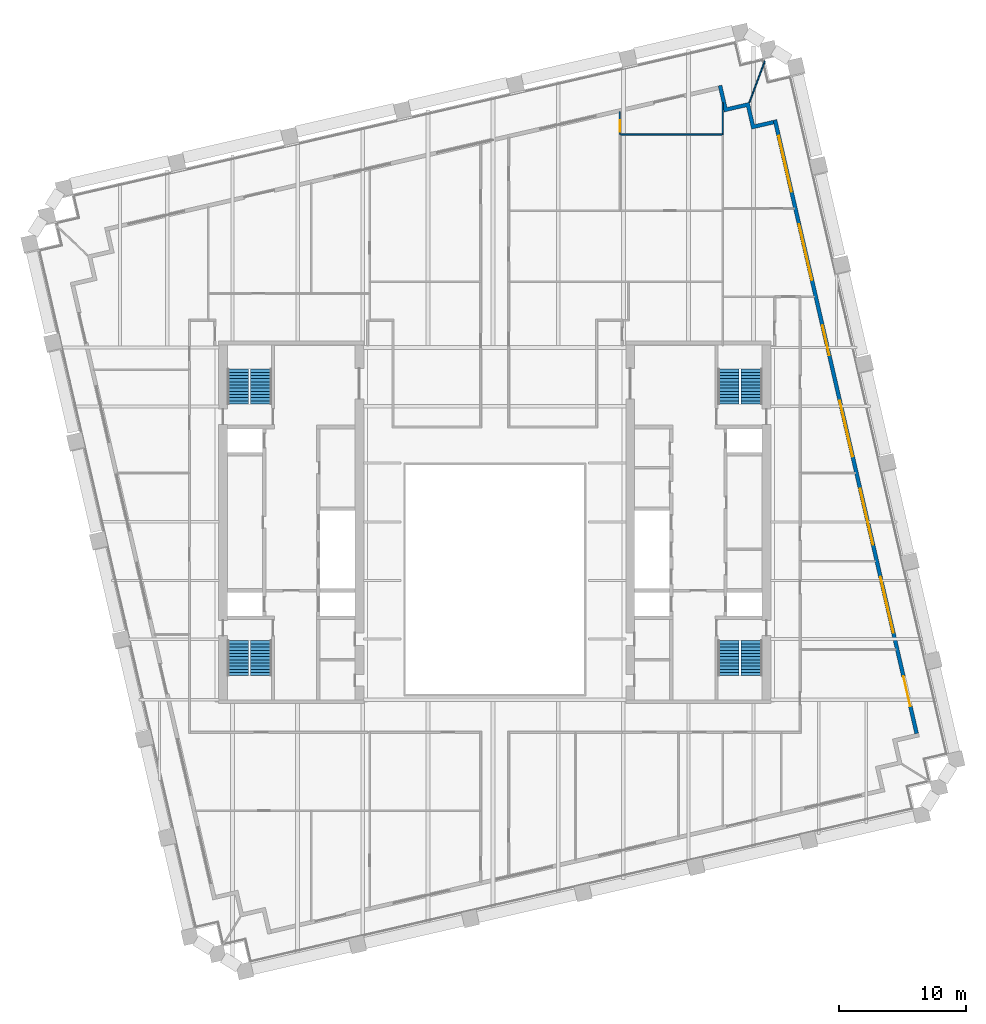
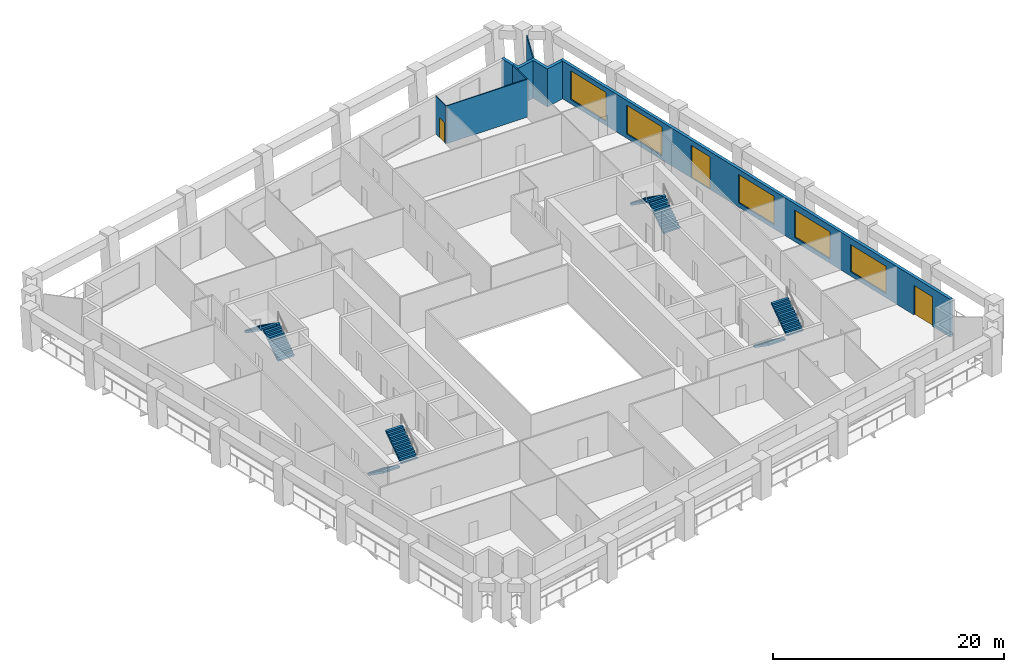
# One storey, part 9 of 10: 8 stair flights, 6 walls, 5 windows, 3 doors, 8 openings, 4 elements without a shape of their own.
"""IFC4 building model written with IfcOpenShell, lengths in metres."""

from ifc_helpers import new_model, si_unit, direction, frame, frame_2d, origin, place, context, subcontext, project, spatial, polyline, rectangle, outline, extrude, material, layer, layer_set, type_object, element, fill, aggregate, save


model = new_model("IFC4")

# Units and contexts
model_context = context("Model", 3, precision=1e-05, world=origin(), true_north=direction((0.0, 1.0)))
body_context = subcontext(model_context, "Body", "Model", "MODEL_VIEW")
ifc_project = project(units=[si_unit("LENGTHUNIT", "METRE"), si_unit("AREAUNIT", "SQUARE_METRE"), si_unit("VOLUMEUNIT", "CUBIC_METRE"), si_unit("PLANEANGLEUNIT", "RADIAN"), si_unit("MASSUNIT", "GRAM", prefix="KILO")], contexts=[model_context])

# Site, building, storey
site_placement = place(None, origin())
site = spatial("IfcSite", under=ifc_project, at=site_placement, CompositionType="ELEMENT")
building_placement = place(site_placement, origin())
building = spatial("IfcBuilding", under=site, at=building_placement, Name="Ogive Exchange Tower", CompositionType="ELEMENT")
storey_placement = place(building_placement, frame((0.0, 0.0, 180.0)))
storey = spatial("IfcBuildingStorey", under=building, at=storey_placement, Name="L39", CompositionType="ELEMENT", Elevation=180.0)

# Wall, openings, doors, windows
ifc_material_1 = material(Name="Precast concrete C40/50", Category="concrete")
ifc_layer_1 = layer(ifc_material_1, 0.300048828125)
ifc_layer_set_1 = layer_set([ifc_layer_1], Name="Limestone-faced wall 300")
wall_type_1 = type_object("IfcWallType", Name="Limestone-faced wall 300", PredefinedType="STANDARD", material=ifc_layer_set_1)
wall_1_placement = place(storey_placement, frame((33.1572265625, -5.092041015625, 0.0), z_axis=(0.0, 0.0, 1.0), x_axis=(-0.224950279389, 0.974370243697, 0.0)))
wall_1 = element("IfcWall", 1, at=wall_1_placement, inside=storey, type_object=wall_type_1, Name="External wall E2", PredefinedType="STANDARD", context=body_context, shape_type="SweptSolid", body=[
    extrude(rectangle(XDim=49.499755859375, YDim=0.300048828125, at=frame_2d((24.75, 0.0))), origin(), (0.0, 0.0, 1.0), 4.0),
])
opening_1_placement = place(wall_1_placement, frame((2.20703125, 0.0, 0.0)))
opening_1 = element("IfcOpeningElement", 2, at=opening_1_placement, cuts=wall_1, Name="Opening D1J", PredefinedType="OPENING", context=body_context, shape_type="SweptSolid", body=[
    extrude(rectangle(XDim=2.39990234375, YDim=3.125, at=frame_2d((1.199951171875, 1.5625))), frame((0.0, 0.159912109375, 0.0), z_axis=(0.0, -1.0, 0.0), x_axis=(1.0, 0.0, 0.0)), (0.0, 0.0, 1.0), 0.320068359375),
])
opening_2_placement = place(wall_1_placement, frame((8.121337890625, 0.0, 0.449951171875)))
opening_2 = element("IfcOpeningElement", 3, at=opening_2_placement, cuts=wall_1, Name="Opening W1D", PredefinedType="OPENING", context=body_context, shape_type="SweptSolid", body=[
    extrude(rectangle(XDim=4.5, YDim=2.875, at=frame_2d((2.25, 1.4375))), frame((0.0, 0.159912109375, 0.0), z_axis=(0.0, -1.0, 0.0), x_axis=(1.0, 0.0, 0.0)), (0.0, 0.0, 1.0), 0.320068359375),
])
opening_3_placement = place(wall_1_placement, frame((15.235595703125, 0.0, 0.449951171875)))
opening_3 = element("IfcOpeningElement", 4, at=opening_3_placement, cuts=wall_1, Name="Opening W1D", PredefinedType="OPENING", context=body_context, shape_type="SweptSolid", body=[
    extrude(rectangle(XDim=4.5, YDim=2.875, at=frame_2d((2.25, 1.4375))), frame((0.0, 0.159912109375, 0.0), z_axis=(0.0, -1.0, 0.0), x_axis=(1.0, 0.0, 0.0)), (0.0, 0.0, 1.0), 0.320068359375),
])
opening_4_placement = place(wall_1_placement, frame((22.35009765625, 0.0, 0.449951171875)))
opening_4 = element("IfcOpeningElement", 5, at=opening_4_placement, cuts=wall_1, Name="Opening W1A", PredefinedType="OPENING", context=body_context, shape_type="SweptSolid", body=[
    extrude(rectangle(XDim=4.5, YDim=3.0, at=frame_2d((2.25, 1.5))), frame((0.0, 0.159912109375, 0.0), z_axis=(0.0, -1.0, 0.0), x_axis=(1.0, 0.0, 0.0)), (0.0, 0.0, 1.0), 0.320068359375),
])
opening_5_placement = place(wall_1_placement, frame((30.51416015625, 0.0, 0.0)))
opening_5 = element("IfcOpeningElement", 6, at=opening_5_placement, cuts=wall_1, Name="Opening D1A", PredefinedType="OPENING", context=body_context, shape_type="SweptSolid", body=[
    extrude(rectangle(XDim=2.39990234375, YDim=3.449951171875, at=frame_2d((1.199951171875, 1.72509765625))), frame((0.0, 0.159912109375, 0.0), z_axis=(0.0, -1.0, 0.0), x_axis=(1.0, 0.0, 0.0)), (0.0, 0.0, 1.0), 0.320068359375),
])
opening_6_placement = place(wall_1_placement, frame((36.57861328125, 0.0, 0.449951171875)))
opening_6 = element("IfcOpeningElement", 7, at=opening_6_placement, cuts=wall_1, Name="Opening W1", PredefinedType="OPENING", context=body_context, shape_type="SweptSolid", body=[
    extrude(rectangle(XDim=4.5, YDim=3.050048828125, at=frame_2d((2.25, 1.52490234375))), frame((0.0, 0.159912109375, 0.0), z_axis=(0.0, -1.0, 0.0), x_axis=(1.0, 0.0, 0.0)), (0.0, 0.0, 1.0), 0.320068359375),
])
opening_7_placement = place(wall_1_placement, frame((43.69287109375, 0.0, 0.449951171875)))
opening_7 = element("IfcOpeningElement", 8, at=opening_7_placement, cuts=wall_1, Name="Opening W1", PredefinedType="OPENING", context=body_context, shape_type="SweptSolid", body=[
    extrude(rectangle(XDim=4.5, YDim=3.050048828125, at=frame_2d((2.25, 1.52490234375))), frame((0.0, 0.159912109375, 0.0), z_axis=(0.0, -1.0, 0.0), x_axis=(1.0, 0.0, 0.0)), (0.0, 0.0, 1.0), 0.320068359375),
])
ifc_material_2 = material(Name="Clear glass in bronze frame", Category="glass")
door_type_1 = type_object("IfcDoorType", Name="Sliding loggia door 2400 x 3125", OperationType="DOUBLE_DOOR_SLIDING", PredefinedType="DOOR", material=ifc_material_2)
door_1_placement = place(opening_1_placement, origin())
door_1 = element("IfcDoor", 9, at=door_1_placement, inside=storey, type_object=door_type_1, Name="Loggia door E00", OperationType="DOUBLE_DOOR_SLIDING", OverallHeight=3.125, OverallWidth=2.39990234375, PredefinedType="DOOR", context=body_context, shape_type="SweptSolid", body=[
    extrude(rectangle(XDim=2.39990234375, YDim=3.125, at=frame_2d((1.199951171875, 1.5625))), frame((0.0, 0.02490234375, 0.0), z_axis=(0.0, -1.0, 0.0), x_axis=(1.0, 0.0, 0.0)), (0.0, 0.0, 1.0), 0.050048828125),
])
fill(opening_1, door_1)
door_type_2 = type_object("IfcDoorType", Name="Sliding loggia door 2400 x 3450", OperationType="DOUBLE_DOOR_SLIDING", PredefinedType="DOOR", material=ifc_material_2)
door_2_placement = place(opening_5_placement, origin())
door_2 = element("IfcDoor", 10, at=door_2_placement, inside=storey, type_object=door_type_2, Name="Loggia door E04", OperationType="DOUBLE_DOOR_SLIDING", OverallHeight=3.449951171875, OverallWidth=2.39990234375, PredefinedType="DOOR", context=body_context, shape_type="SweptSolid", body=[
    extrude(rectangle(XDim=2.39990234375, YDim=3.449951171875, at=frame_2d((1.199951171875, 1.72509765625))), frame((0.0, 0.02490234375, 0.0), z_axis=(0.0, -1.0, 0.0), x_axis=(1.0, 0.0, 0.0)), (0.0, 0.0, 1.0), 0.050048828125),
])
fill(opening_5, door_2)
window_type_1 = type_object("IfcWindowType", Name="Twin lancet window 4500 x 2875", PartitioningType="DOUBLE_PANEL_VERTICAL", PredefinedType="WINDOW", material=ifc_material_2)
window_1_placement = place(opening_2_placement, origin())
window_1 = element("IfcWindow", 11, at=window_1_placement, inside=storey, type_object=window_type_1, Name="Window E01", OverallHeight=2.875, OverallWidth=4.5, PartitioningType="DOUBLE_PANEL_VERTICAL", PredefinedType="WINDOW", context=body_context, shape_type="SweptSolid", body=[
    extrude(rectangle(XDim=4.5, YDim=2.875, at=frame_2d((2.25, 1.4375))), frame((0.0, 0.030029296875, 0.0), z_axis=(0.0, -1.0, 0.0), x_axis=(1.0, 0.0, 0.0)), (0.0, 0.0, 1.0), 0.06005859375),
])
fill(opening_2, window_1)
window_2_placement = place(opening_3_placement, origin())
window_2 = element("IfcWindow", 12, at=window_2_placement, inside=storey, type_object=window_type_1, Name="Window E02", OverallHeight=2.875, OverallWidth=4.5, PartitioningType="DOUBLE_PANEL_VERTICAL", PredefinedType="WINDOW", context=body_context, shape_type="SweptSolid", body=[
    extrude(rectangle(XDim=4.5, YDim=2.875, at=frame_2d((2.25, 1.4375))), frame((0.0, 0.030029296875, 0.0), z_axis=(0.0, -1.0, 0.0), x_axis=(1.0, 0.0, 0.0)), (0.0, 0.0, 1.0), 0.06005859375),
])
fill(opening_3, window_2)
window_type_2 = type_object("IfcWindowType", Name="Twin lancet window 4500 x 3000", PartitioningType="DOUBLE_PANEL_VERTICAL", PredefinedType="WINDOW", material=ifc_material_2)
window_3_placement = place(opening_4_placement, origin())
window_3 = element("IfcWindow", 13, at=window_3_placement, inside=storey, type_object=window_type_2, Name="Window E03", OverallHeight=3.0, OverallWidth=4.5, PartitioningType="DOUBLE_PANEL_VERTICAL", PredefinedType="WINDOW", context=body_context, shape_type="SweptSolid", body=[
    extrude(rectangle(XDim=4.5, YDim=3.0, at=frame_2d((2.25, 1.5))), frame((0.0, 0.030029296875, 0.0), z_axis=(0.0, -1.0, 0.0), x_axis=(1.0, 0.0, 0.0)), (0.0, 0.0, 1.0), 0.06005859375),
])
fill(opening_4, window_3)
window_type_3 = type_object("IfcWindowType", Name="Twin lancet window 4500 x 3050", PartitioningType="DOUBLE_PANEL_VERTICAL", PredefinedType="WINDOW", material=ifc_material_2)
window_4_placement = place(opening_6_placement, origin())
window_4 = element("IfcWindow", 14, at=window_4_placement, inside=storey, type_object=window_type_3, Name="Window E05", OverallHeight=3.050048828125, OverallWidth=4.5, PartitioningType="DOUBLE_PANEL_VERTICAL", PredefinedType="WINDOW", context=body_context, shape_type="SweptSolid", body=[
    extrude(rectangle(XDim=4.5, YDim=3.050048828125, at=frame_2d((2.25, 1.52490234375))), frame((0.0, 0.030029296875, 0.0), z_axis=(0.0, -1.0, 0.0), x_axis=(1.0, 0.0, 0.0)), (0.0, 0.0, 1.0), 0.06005859375),
])
fill(opening_6, window_4)
window_5_placement = place(opening_7_placement, origin())
window_5 = element("IfcWindow", 15, at=window_5_placement, inside=storey, type_object=window_type_3, Name="Window E06", OverallHeight=3.050048828125, OverallWidth=4.5, PartitioningType="DOUBLE_PANEL_VERTICAL", PredefinedType="WINDOW", context=body_context, shape_type="SweptSolid", body=[
    extrude(rectangle(XDim=4.5, YDim=3.050048828125, at=frame_2d((2.25, 1.52490234375))), frame((0.0, 0.030029296875, 0.0), z_axis=(0.0, -1.0, 0.0), x_axis=(1.0, 0.0, 0.0)), (0.0, 0.0, 1.0), 0.06005859375),
])
fill(opening_7, window_5)

# Walls
wall_2_placement = place(storey_placement, origin())
element("IfcWall", 16, at=wall_2_placement, inside=storey, type_object=wall_type_1, Name="External corner wall C2", PredefinedType="STANDARD", context=body_context, shape_type="SweptSolid", body=[
    extrude(outline(polyline([(19.78466796875, 44.162109375), (18.03076171875, 43.757080078125), (17.558349609375, 45.80322265625), (17.8505859375, 45.870849609375), (18.255615234375, 44.116943359375), (20.009521484375, 44.52197265625), (20.414306640625, 42.76806640625), (21.8759765625, 43.10546875), (21.943359375, 42.81298828125), (20.189697265625, 42.408203125), (19.78466796875, 44.162109375)])), origin(), (0.0, 0.0, 1.0), 4.0),
])
ifc_material_3 = material(Name="Laminated safety glass in steel frame", Category="steel")
ifc_layer_2 = layer(ifc_material_3, 0.10009765625)
ifc_layer_set_2 = layer_set([ifc_layer_2], Name="Loggia end screen 100")
wall_type_2 = type_object("IfcWallType", Name="Loggia end screen 100", PredefinedType="STANDARD", material=ifc_layer_set_2)
wall_3_placement = place(storey_placement, frame((20.009521484375, 44.52197265625, -0.050048828125), z_axis=(0.0, 0.0, 1.0), x_axis=(0.352088073002, 0.935966873799, 0.0)))
element("IfcWall", 17, at=wall_3_placement, inside=storey, type_object=wall_type_2, Name="Loggia end screen C2", PredefinedType="STANDARD", context=body_context, shape_type="SweptSolid", body=[
    extrude(rectangle(XDim=3.46630859375, YDim=0.10009765625, at=frame_2d((1.733154296875, 0.0))), origin(), (0.0, 0.0, 1.0), 4.050048828125),
])
ifc_material_4 = material(Name="Partition 100 gypsum")
ifc_layer_3 = layer(ifc_material_4, 0.10009765625)
ifc_layer_set_3 = layer_set([ifc_layer_3], Name="Partition 100 gypsum")
wall_type_3 = type_object("IfcWallType", Name="Partition 100 gypsum", PredefinedType="PARTITIONING", material=ifc_layer_set_3)
wall_4_placement = place(storey_placement, frame((9.8798828125, 42.0, 0.0), z_axis=(0.0, 0.0, 1.0), x_axis=(1.0, 0.0, 0.0)))
element("IfcWall", 18, at=wall_4_placement, inside=storey, type_object=wall_type_3, Name="L39-PWL-049", PredefinedType="PARTITIONING", context=body_context, shape_type="SweptSolid", body=[
    extrude(rectangle(XDim=8.090087890625, YDim=0.10009765625, at=frame_2d((4.044921875, 0.0))), origin(), (0.0, 0.0, 1.0), 4.0),
])

# Wall, opening, door
wall_5_placement = place(storey_placement, frame((9.830078125, 43.7939453125, 0.0), z_axis=(0.0, 0.0, 1.0), x_axis=(0.0, -1.0, 0.0)))
wall_5 = element("IfcWall", 19, at=wall_5_placement, inside=storey, type_object=wall_type_3, Name="L39-PWL-050", PredefinedType="PARTITIONING", context=body_context, shape_type="SweptSolid", body=[
    extrude(rectangle(XDim=1.7939453125, YDim=0.10009765625, at=frame_2d((0.89697265625, 0.0))), origin(), (0.0, 0.0, 1.0), 4.0),
])
opening_8_placement = place(wall_5_placement, frame((0.694091796875, 0.0, 0.0)))
opening_8 = element("IfcOpeningElement", 20, at=opening_8_placement, cuts=wall_5, Name="Opening L39-I30", PredefinedType="OPENING", context=body_context, shape_type="SweptSolid", body=[
    extrude(rectangle(XDim=0.89990234375, YDim=2.10009765625, at=frame_2d((0.449951171875, 1.050048828125))), frame((0.0, 0.06005859375, 0.0), z_axis=(0.0, -1.0, 0.0), x_axis=(1.0, 0.0, 0.0)), (0.0, 0.0, 1.0), 0.1201171875),
])
ifc_material_5 = material(Name="Door 900 x 2100")
door_type_3 = type_object("IfcDoorType", Name="Door 900 x 2100", OperationType="NOTDEFINED", PredefinedType="DOOR", material=ifc_material_5)
door_3_placement = place(opening_8_placement, origin())
door_3 = element("IfcDoor", 21, at=door_3_placement, inside=storey, type_object=door_type_3, Name="L39-IDR-030", ObjectType="DT1", OperationType="SINGLE_SWING_LEFT", OverallHeight=2.10009765625, OverallWidth=0.89990234375, PredefinedType="DOOR", context=body_context, shape_type="SweptSolid", body=[
    extrude(rectangle(XDim=0.89990234375, YDim=2.10009765625, at=frame_2d((0.449951171875, 1.050048828125))), frame((0.0, 0.02490234375, 0.0), z_axis=(0.0, -1.0, 0.0), x_axis=(1.0, 0.0, 0.0)), (0.0, 0.0, 1.0), 0.050048828125),
])
fill(opening_8, door_3)

# Wall
wall_6_placement = place(storey_placement, frame((17.919921875, 42.050048828125, 0.0), z_axis=(0.0, 0.0, 1.0), x_axis=(0.0, 1.0, 0.0)))
element("IfcWall", 22, at=wall_6_placement, inside=storey, type_object=wall_type_3, Name="L39-PWL-066", PredefinedType="PARTITIONING", context=body_context, shape_type="SweptSolid", body=[
    extrude(rectangle(XDim=2.431884765625, YDim=0.10009765625, at=frame_2d((1.2158203125, 0.0))), origin(), (0.0, 0.0, 1.0), 4.0),
])

# Stair, stair flights
ifc_material_6 = material(Name="Concrete C40/50", Category="concrete")
stair_type = type_object("IfcStairType", Name="Exit stair 1650 wide", PredefinedType="HALF_TURN_STAIR", material=ifc_material_6)
stair_1_placement = place(storey_placement, origin())
stair_1 = element("IfcStair", 23, at=stair_1_placement, inside=storey, type_object=stair_type, Name="L39 exit stair ST1", PredefinedType="HALF_TURN_STAIR")
stair_flight_type = type_object("IfcStairFlightType", Name="Stair flight 1650 wide", PredefinedType="STRAIGHT", material=ifc_material_6)
stair_flight_1_placement = place(storey_placement, frame((-20.175048828125, 2.199951171875, 0.0), z_axis=(0.0, 0.0, 1.0), x_axis=(0.0, -1.0, 0.0)))
stair_flight_1 = element("IfcStairFlight", 24, at=stair_flight_1_placement, type_object=stair_flight_type, Name="ST1 flight 1", NumberOfRisers=12, NumberOfTreads=11, PredefinedType="STRAIGHT", RiserHeight=0.175, TreadLength=0.25, context=body_context, shape_type="SweptSolid", body=[
    extrude(outline(polyline([(0.0, 0.0), (0.0, 0.175048828125), (0.25, 0.175048828125), (0.25, 0.35009765625), (0.5, 0.35009765625), (0.5, 0.52490234375), (0.75, 0.52490234375), (0.75, 0.699951171875), (1.0, 0.699951171875), (1.0, 0.875), (1.25, 0.875), (1.25, 1.050048828125), (1.5, 1.050048828125), (1.5, 1.22509765625), (1.75, 1.22509765625), (1.75, 1.39990234375), (2.0, 1.39990234375), (2.0, 1.574951171875), (2.25, 1.574951171875), (2.25, 1.75), (2.5, 1.75), (2.5, 1.925048828125), (2.75, 1.925048828125), (2.75, 2.10009765625), (2.75, 1.741943359375), (0.261474609375, 0.0), (0.0, 0.0)])), frame((0.0, 0.824951171875, 0.0), z_axis=(0.0, -1.0, 0.0), x_axis=(1.0, 0.0, 0.0)), (0.0, 0.0, 1.0), 1.64990234375),
])
stair_flight_2_placement = place(storey_placement, frame((-18.375, -0.550048828125, 2.10009765625), z_axis=(0.0, 0.0, 1.0), x_axis=(0.0, 1.0, 0.0)))
stair_flight_2 = element("IfcStairFlight", 25, at=stair_flight_2_placement, type_object=stair_flight_type, Name="ST1 flight 2", NumberOfRisers=12, NumberOfTreads=11, PredefinedType="STRAIGHT", RiserHeight=0.175, TreadLength=0.25, context=body_context, shape_type="SweptSolid", body=[
    extrude(outline(polyline([(0.0, 0.0), (0.0, 0.175048828125), (0.25, 0.175048828125), (0.25, 0.35009765625), (0.5, 0.35009765625), (0.5, 0.52490234375), (0.75, 0.52490234375), (0.75, 0.699951171875), (1.0, 0.699951171875), (1.0, 0.875), (1.25, 0.875), (1.25, 1.050048828125), (1.5, 1.050048828125), (1.5, 1.22509765625), (1.75, 1.22509765625), (1.75, 1.39990234375), (2.0, 1.39990234375), (2.0, 1.574951171875), (2.25, 1.574951171875), (2.25, 1.75), (2.5, 1.75), (2.5, 1.925048828125), (2.75, 1.925048828125), (2.75, 2.10009765625), (2.75, 1.741943359375), (0.261474609375, 0.0), (0.0, 0.0)])), frame((0.0, 0.824951171875, 0.0), z_axis=(0.0, -1.0, 0.0), x_axis=(1.0, 0.0, 0.0)), (0.0, 0.0, 1.0), 1.64990234375),
])
aggregate(stair_1, [stair_flight_1, stair_flight_2])

stair_2_placement = place(storey_placement, origin())
stair_2 = element("IfcStair", 26, at=stair_2_placement, inside=storey, type_object=stair_type, Name="L39 exit stair ST2", PredefinedType="HALF_TURN_STAIR")
stair_flight_3_placement = place(storey_placement, frame((-18.375, 20.800048828125, 0.0), z_axis=(0.0, 0.0, 1.0), x_axis=(0.0, 1.0, 0.0)))
stair_flight_3 = element("IfcStairFlight", 27, at=stair_flight_3_placement, type_object=stair_flight_type, Name="ST2 flight 1", NumberOfRisers=12, NumberOfTreads=11, PredefinedType="STRAIGHT", RiserHeight=0.175, TreadLength=0.25, context=body_context, shape_type="SweptSolid", body=[
    extrude(outline(polyline([(0.0, 0.0), (0.0, 0.175048828125), (0.25, 0.175048828125), (0.25, 0.35009765625), (0.5, 0.35009765625), (0.5, 0.52490234375), (0.75, 0.52490234375), (0.75, 0.699951171875), (1.0, 0.699951171875), (1.0, 0.875), (1.25, 0.875), (1.25, 1.050048828125), (1.5, 1.050048828125), (1.5, 1.22509765625), (1.75, 1.22509765625), (1.75, 1.39990234375), (2.0, 1.39990234375), (2.0, 1.574951171875), (2.25, 1.574951171875), (2.25, 1.75), (2.5, 1.75), (2.5, 1.925048828125), (2.75, 1.925048828125), (2.75, 2.10009765625), (2.75, 1.741943359375), (0.261474609375, 0.0), (0.0, 0.0)])), frame((0.0, 0.824951171875, 0.0), z_axis=(0.0, -1.0, 0.0), x_axis=(1.0, 0.0, 0.0)), (0.0, 0.0, 1.0), 1.64990234375),
])
stair_flight_4_placement = place(storey_placement, frame((-20.175048828125, 23.550048828125, 2.10009765625), z_axis=(0.0, 0.0, 1.0), x_axis=(0.0, -1.0, 0.0)))
stair_flight_4 = element("IfcStairFlight", 28, at=stair_flight_4_placement, type_object=stair_flight_type, Name="ST2 flight 2", NumberOfRisers=12, NumberOfTreads=11, PredefinedType="STRAIGHT", RiserHeight=0.175, TreadLength=0.25, context=body_context, shape_type="SweptSolid", body=[
    extrude(outline(polyline([(0.0, 0.0), (0.0, 0.175048828125), (0.25, 0.175048828125), (0.25, 0.35009765625), (0.5, 0.35009765625), (0.5, 0.52490234375), (0.75, 0.52490234375), (0.75, 0.699951171875), (1.0, 0.699951171875), (1.0, 0.875), (1.25, 0.875), (1.25, 1.050048828125), (1.5, 1.050048828125), (1.5, 1.22509765625), (1.75, 1.22509765625), (1.75, 1.39990234375), (2.0, 1.39990234375), (2.0, 1.574951171875), (2.25, 1.574951171875), (2.25, 1.75), (2.5, 1.75), (2.5, 1.925048828125), (2.75, 1.925048828125), (2.75, 2.10009765625), (2.75, 1.741943359375), (0.261474609375, 0.0), (0.0, 0.0)])), frame((0.0, 0.824951171875, 0.0), z_axis=(0.0, -1.0, 0.0), x_axis=(1.0, 0.0, 0.0)), (0.0, 0.0, 1.0), 1.64990234375),
])
aggregate(stair_2, [stair_flight_3, stair_flight_4])

stair_3_placement = place(storey_placement, origin())
stair_3 = element("IfcStair", 29, at=stair_3_placement, inside=storey, type_object=stair_type, Name="L39 exit stair ST3", PredefinedType="HALF_TURN_STAIR")
stair_flight_5_placement = place(storey_placement, frame((18.375, 2.199951171875, 0.0), z_axis=(0.0, 0.0, 1.0), x_axis=(0.0, -1.0, 0.0)))
stair_flight_5 = element("IfcStairFlight", 30, at=stair_flight_5_placement, type_object=stair_flight_type, Name="ST3 flight 1", NumberOfRisers=12, NumberOfTreads=11, PredefinedType="STRAIGHT", RiserHeight=0.175, TreadLength=0.25, context=body_context, shape_type="SweptSolid", body=[
    extrude(outline(polyline([(0.0, 0.0), (0.0, 0.175048828125), (0.25, 0.175048828125), (0.25, 0.35009765625), (0.5, 0.35009765625), (0.5, 0.52490234375), (0.75, 0.52490234375), (0.75, 0.699951171875), (1.0, 0.699951171875), (1.0, 0.875), (1.25, 0.875), (1.25, 1.050048828125), (1.5, 1.050048828125), (1.5, 1.22509765625), (1.75, 1.22509765625), (1.75, 1.39990234375), (2.0, 1.39990234375), (2.0, 1.574951171875), (2.25, 1.574951171875), (2.25, 1.75), (2.5, 1.75), (2.5, 1.925048828125), (2.75, 1.925048828125), (2.75, 2.10009765625), (2.75, 1.741943359375), (0.261474609375, 0.0), (0.0, 0.0)])), frame((0.0, 0.824951171875, 0.0), z_axis=(0.0, -1.0, 0.0), x_axis=(1.0, 0.0, 0.0)), (0.0, 0.0, 1.0), 1.64990234375),
])
stair_flight_6_placement = place(storey_placement, frame((20.175048828125, -0.550048828125, 2.10009765625), z_axis=(0.0, 0.0, 1.0), x_axis=(0.0, 1.0, 0.0)))
stair_flight_6 = element("IfcStairFlight", 31, at=stair_flight_6_placement, type_object=stair_flight_type, Name="ST3 flight 2", NumberOfRisers=12, NumberOfTreads=11, PredefinedType="STRAIGHT", RiserHeight=0.175, TreadLength=0.25, context=body_context, shape_type="SweptSolid", body=[
    extrude(outline(polyline([(0.0, 0.0), (0.0, 0.175048828125), (0.25, 0.175048828125), (0.25, 0.35009765625), (0.5, 0.35009765625), (0.5, 0.52490234375), (0.75, 0.52490234375), (0.75, 0.699951171875), (1.0, 0.699951171875), (1.0, 0.875), (1.25, 0.875), (1.25, 1.050048828125), (1.5, 1.050048828125), (1.5, 1.22509765625), (1.75, 1.22509765625), (1.75, 1.39990234375), (2.0, 1.39990234375), (2.0, 1.574951171875), (2.25, 1.574951171875), (2.25, 1.75), (2.5, 1.75), (2.5, 1.925048828125), (2.75, 1.925048828125), (2.75, 2.10009765625), (2.75, 1.741943359375), (0.261474609375, 0.0), (0.0, 0.0)])), frame((0.0, 0.824951171875, 0.0), z_axis=(0.0, -1.0, 0.0), x_axis=(1.0, 0.0, 0.0)), (0.0, 0.0, 1.0), 1.64990234375),
])
aggregate(stair_3, [stair_flight_5, stair_flight_6])

stair_4_placement = place(storey_placement, origin())
stair_4 = element("IfcStair", 32, at=stair_4_placement, inside=storey, type_object=stair_type, Name="L39 exit stair ST4", PredefinedType="HALF_TURN_STAIR")
stair_flight_7_placement = place(storey_placement, frame((20.175048828125, 20.800048828125, 0.0), z_axis=(0.0, 0.0, 1.0), x_axis=(0.0, 1.0, 0.0)))
stair_flight_7 = element("IfcStairFlight", 33, at=stair_flight_7_placement, type_object=stair_flight_type, Name="ST4 flight 1", NumberOfRisers=12, NumberOfTreads=11, PredefinedType="STRAIGHT", RiserHeight=0.175, TreadLength=0.25, context=body_context, shape_type="SweptSolid", body=[
    extrude(outline(polyline([(0.0, 0.0), (0.0, 0.175048828125), (0.25, 0.175048828125), (0.25, 0.35009765625), (0.5, 0.35009765625), (0.5, 0.52490234375), (0.75, 0.52490234375), (0.75, 0.699951171875), (1.0, 0.699951171875), (1.0, 0.875), (1.25, 0.875), (1.25, 1.050048828125), (1.5, 1.050048828125), (1.5, 1.22509765625), (1.75, 1.22509765625), (1.75, 1.39990234375), (2.0, 1.39990234375), (2.0, 1.574951171875), (2.25, 1.574951171875), (2.25, 1.75), (2.5, 1.75), (2.5, 1.925048828125), (2.75, 1.925048828125), (2.75, 2.10009765625), (2.75, 1.741943359375), (0.261474609375, 0.0), (0.0, 0.0)])), frame((0.0, 0.824951171875, 0.0), z_axis=(0.0, -1.0, 0.0), x_axis=(1.0, 0.0, 0.0)), (0.0, 0.0, 1.0), 1.64990234375),
])
stair_flight_8_placement = place(storey_placement, frame((18.375, 23.550048828125, 2.10009765625), z_axis=(0.0, 0.0, 1.0), x_axis=(0.0, -1.0, 0.0)))
stair_flight_8 = element("IfcStairFlight", 34, at=stair_flight_8_placement, type_object=stair_flight_type, Name="ST4 flight 2", NumberOfRisers=12, NumberOfTreads=11, PredefinedType="STRAIGHT", RiserHeight=0.175, TreadLength=0.25, context=body_context, shape_type="SweptSolid", body=[
    extrude(outline(polyline([(0.0, 0.0), (0.0, 0.175048828125), (0.25, 0.175048828125), (0.25, 0.35009765625), (0.5, 0.35009765625), (0.5, 0.52490234375), (0.75, 0.52490234375), (0.75, 0.699951171875), (1.0, 0.699951171875), (1.0, 0.875), (1.25, 0.875), (1.25, 1.050048828125), (1.5, 1.050048828125), (1.5, 1.22509765625), (1.75, 1.22509765625), (1.75, 1.39990234375), (2.0, 1.39990234375), (2.0, 1.574951171875), (2.25, 1.574951171875), (2.25, 1.75), (2.5, 1.75), (2.5, 1.925048828125), (2.75, 1.925048828125), (2.75, 2.10009765625), (2.75, 1.741943359375), (0.261474609375, 0.0), (0.0, 0.0)])), frame((0.0, 0.824951171875, 0.0), z_axis=(0.0, -1.0, 0.0), x_axis=(1.0, 0.0, 0.0)), (0.0, 0.0, 1.0), 1.64990234375),
])
aggregate(stair_4, [stair_flight_7, stair_flight_8])

save(model, "model.ifc")
